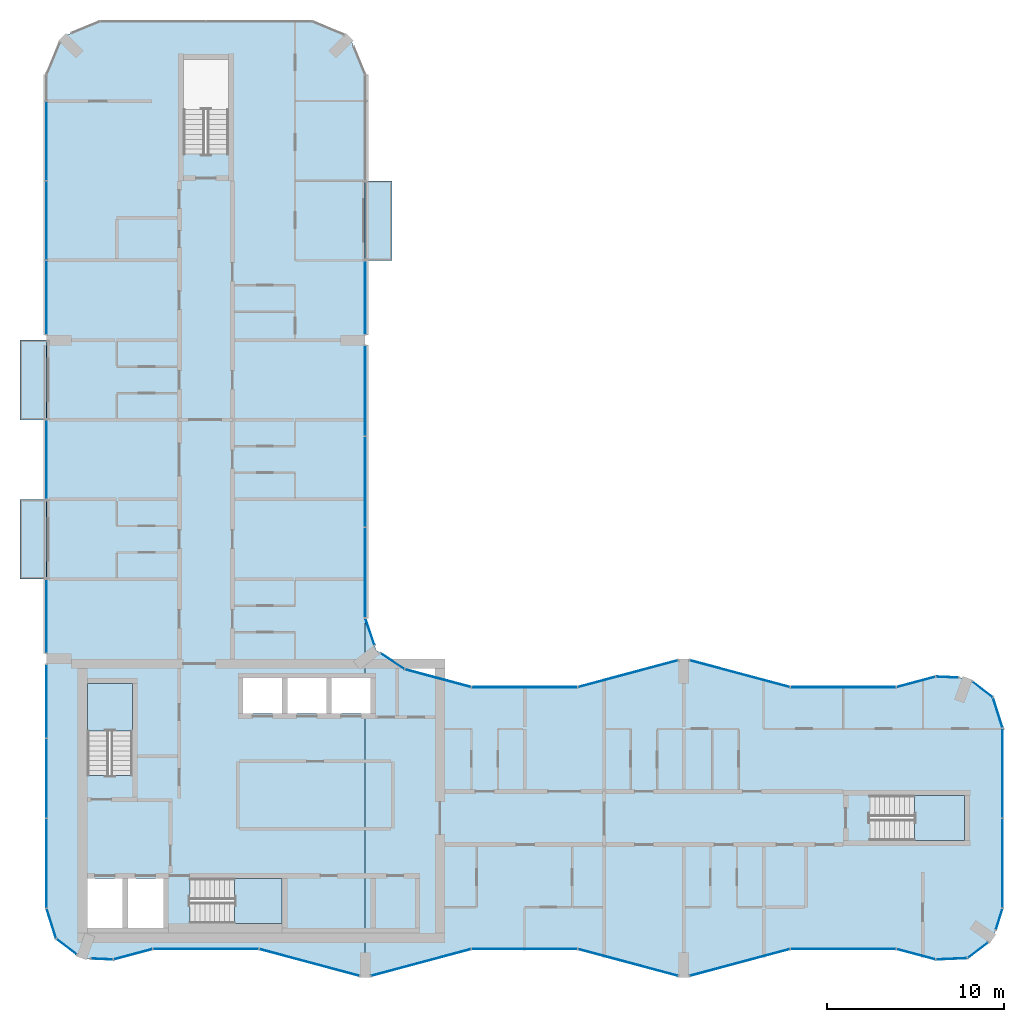
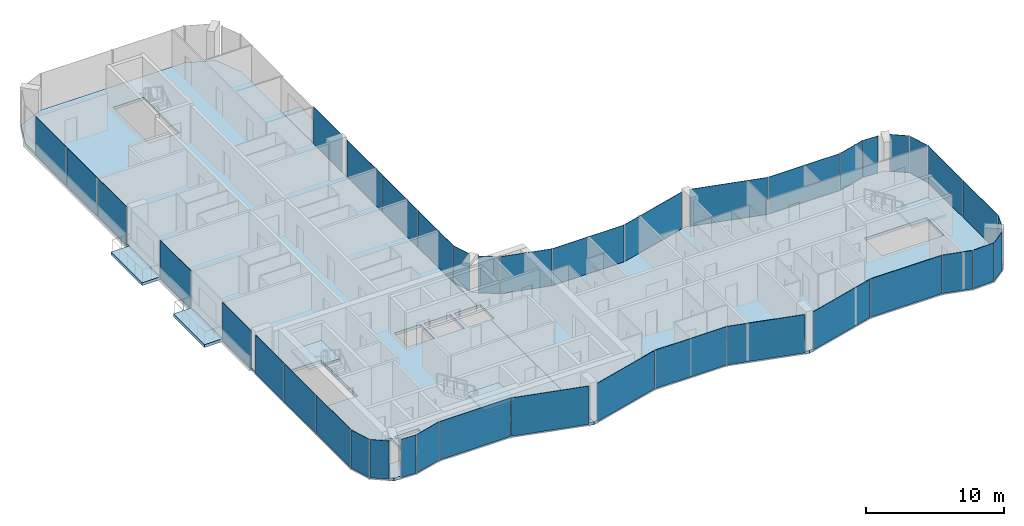
# One storey, part 8 of 16: 40 plates, 8 slabs, 36 elements without a shape of their own.
"""IFC4 building model written with IfcOpenShell, lengths in metres."""

from ifc_helpers import new_model, si_unit, direction, frame, origin, origin_2d, place, context, subcontext, project, spatial, polyline, rectangle, outline, extrude, material, layer, layer_set, type_object, element, aggregate, save


model = new_model("IFC4")

# Units and contexts
model_context = context("Model", 3, precision=1e-05, world=origin(), true_north=direction((0.0, 1.0)))
body_context = subcontext(model_context, "Body", "Model", "MODEL_VIEW")
ifc_project = project(units=[si_unit("LENGTHUNIT", "METRE"), si_unit("AREAUNIT", "SQUARE_METRE"), si_unit("VOLUMEUNIT", "CUBIC_METRE"), si_unit("PLANEANGLEUNIT", "RADIAN"), si_unit("MASSUNIT", "GRAM", prefix="KILO")], contexts=[model_context])

# Site, building, storey
site_placement = place(None, origin())
site = spatial("IfcSite", under=ifc_project, at=site_placement, CompositionType="ELEMENT")
building_placement = place(site_placement, origin())
building = spatial("IfcBuilding", under=site, at=building_placement, Name="Plateau Cross Towers", CompositionType="ELEMENT")
storey_placement = place(building_placement, frame((0.0, 0.0, 211.89990234375)))
storey = spatial("IfcBuildingStorey", under=building, at=storey_placement, Name="L55", CompositionType="ELEMENT", Elevation=211.89990234375)

# Slabs
ifc_material_1 = material(Name="Concrete C40/50", Category="concrete")
ifc_layer_1 = layer(ifc_material_1, 0.25)
ifc_layer_set_1 = layer_set([ifc_layer_1], Name="Concrete C40/50")
slab_type_1 = type_object("IfcSlabType", Name="Balcony slab 250", PredefinedType="FLOOR", material=ifc_layer_set_1)
slab_1_placement = place(storey_placement, frame((0.0, 0.0, -0.25)))
element("IfcSlab", 1, at=slab_1_placement, inside=storey, type_object=slab_type_1, Name="Balcony slab A-BAL-L55-01", PredefinedType="FLOOR", context=body_context, shape_type="SweptSolid", body=[
    extrude(outline(polyline([(0.0, 22.5), (0.0, 27.0), (-1.5, 27.0), (-1.5, 22.5), (0.0, 22.5)])), origin(), (0.0, 0.0, 1.0), 0.25),
])
slab_2_placement = place(storey_placement, frame((0.0, 0.0, -0.25)))
element("IfcSlab", 2, at=slab_2_placement, inside=storey, type_object=slab_type_1, Name="Balcony slab A-BAL-L55-02", PredefinedType="FLOOR", context=body_context, shape_type="SweptSolid", body=[
    extrude(outline(polyline([(0.0, 31.5), (0.0, 36.0), (-1.5, 36.0), (-1.5, 31.5), (0.0, 31.5)])), origin(), (0.0, 0.0, 1.0), 0.25),
])
slab_3_placement = place(storey_placement, frame((0.0, 0.0, -0.25)))
element("IfcSlab", 3, at=slab_3_placement, inside=storey, type_object=slab_type_1, Name="Balcony slab A-BAL-L55-03", PredefinedType="FLOOR", context=body_context, shape_type="SweptSolid", body=[
    extrude(outline(polyline([(19.5, 40.5), (19.5, 45.0), (18.0, 45.0), (18.0, 40.5), (19.5, 40.5)])), origin(), (0.0, 0.0, 1.0), 0.25),
])

# Curtain wall, plate
ifc_material_2 = material(Name="Dark low-iron glass", Category="glass")
ifc_layer_2 = layer(ifc_material_2, 0.239990234375)
ifc_layer_set_2 = layer_set([ifc_layer_2], Name="Dark low-iron glass")
curtain_wall_type_1 = type_object("IfcCurtainWallType", Name="Curtain wall flush unitised CW-B", PredefinedType="NOTDEFINED", material=ifc_layer_set_2)
curtain_wall_1_placement = place(storey_placement, origin())
curtain_wall_1 = element("IfcCurtainWall", 4, at=curtain_wall_1_placement, inside=storey, type_object=curtain_wall_type_1, Name="ENV/A/L55/A502_10", PredefinedType="NOTDEFINED")
ifc_layer_3 = layer(ifc_material_2, 0.031982421875)
ifc_layer_set_3 = layer_set([ifc_layer_3], Name="Dark low-iron glass")
plate_type_1 = type_object("IfcPlateType", Name="Glass panel 32 flush unitised", PredefinedType="CURTAIN_PANEL", material=ifc_layer_set_3)
plate_1_placement = place(storey_placement, frame((51.125, 1.05078125, -0.1298828125), z_axis=(0.0, 0.0, 1.0), x_axis=(0.999043701491, 0.043722791671, 0.0)))
plate_1 = element("IfcPlate", 5, at=plate_1_placement, type_object=plate_type_1, Name="CW-B panel 1", PredefinedType="CURTAIN_PANEL", context=body_context, shape_type="SweptSolid", body=[
    extrude(rectangle(XDim=1.744140625, YDim=0.031982421875, at=origin_2d()), origin(), (0.0, 0.0, 1.0), 3.3798828125),
])
aggregate(curtain_wall_1, [plate_1])

curtain_wall_2_placement = place(storey_placement, origin())
curtain_wall_2 = element("IfcCurtainWall", 6, at=curtain_wall_2_placement, inside=storey, type_object=curtain_wall_type_1, Name="ENV/A/L55/A520_11", PredefinedType="NOTDEFINED")
plate_2_placement = place(storey_placement, frame((52.60986328125, 1.5380859375, -0.1298828125), z_axis=(0.0, 0.0, 1.0), x_axis=(0.793315514529, 0.608810721331, 0.0)))
plate_2 = element("IfcPlate", 7, at=plate_2_placement, type_object=plate_type_1, Name="CW-B panel 1", PredefinedType="CURTAIN_PANEL", context=body_context, shape_type="SweptSolid", body=[
    extrude(rectangle(XDim=1.41162109375, YDim=0.031982421875, at=origin_2d()), origin(), (0.0, 0.0, 1.0), 3.3798828125),
])
aggregate(curtain_wall_2, [plate_2])

curtain_wall_3_placement = place(storey_placement, origin())
curtain_wall_3 = element("IfcCurtainWall", 8, at=curtain_wall_3_placement, inside=storey, type_object=curtain_wall_type_1, Name="ENV/A/L55/A536_27", PredefinedType="NOTDEFINED")
plate_3_placement = place(storey_placement, frame((53.805419921875, 3.292236328125, -0.1298828125), z_axis=(0.0, 0.0, 1.0), x_axis=(0.300686174994, 0.95372313811, 0.0)))
plate_3 = element("IfcPlate", 9, at=plate_3_placement, type_object=plate_type_1, Name="CW-B panel 1", PredefinedType="CURTAIN_PANEL", context=body_context, shape_type="SweptSolid", body=[
    extrude(rectangle(XDim=1.233642578125, YDim=0.031982421875, at=origin_2d()), origin(), (0.0, 0.0, 1.0), 3.3798828125),
])
aggregate(curtain_wall_3, [plate_3])

# Curtain wall, plates
curtain_wall_4_placement = place(storey_placement, origin())
curtain_wall_4 = element("IfcCurtainWall", 10, at=curtain_wall_4_placement, inside=storey, type_object=curtain_wall_type_1, Name="ENV/A/L55/A540_39", PredefinedType="NOTDEFINED")
plate_4_placement = place(storey_placement, frame((54.0, 6.45458984375, -0.1298828125), z_axis=(0.0, 0.0, 1.0), x_axis=(0.0, 1.0, 0.0)))
plate_4 = element("IfcPlate", 11, at=plate_4_placement, type_object=plate_type_1, Name="CW-B panel 1", PredefinedType="CURTAIN_PANEL", context=body_context, shape_type="SweptSolid", body=[
    extrude(rectangle(XDim=5.03076171875, YDim=0.031982421875, at=origin_2d()), origin(), (0.0, 0.0, 1.0), 3.3798828125),
])
plate_5_placement = place(storey_placement, frame((54.0, 11.54541015625, -0.1298828125), z_axis=(0.0, 0.0, 1.0), x_axis=(0.0, 1.0, 0.0)))
plate_5 = element("IfcPlate", 12, at=plate_5_placement, type_object=plate_type_1, Name="CW-B panel 2", PredefinedType="CURTAIN_PANEL", context=body_context, shape_type="SweptSolid", body=[
    extrude(rectangle(XDim=5.03076171875, YDim=0.031982421875, at=origin_2d()), origin(), (0.0, 0.0, 1.0), 3.3798828125),
])
aggregate(curtain_wall_4, [plate_4, plate_5])

# Curtain wall, plate
curtain_wall_5_placement = place(storey_placement, origin())
curtain_wall_5 = element("IfcCurtainWall", 13, at=curtain_wall_5_placement, inside=storey, type_object=curtain_wall_type_1, Name="ENV/A/L55/A540_141", PredefinedType="NOTDEFINED")
plate_6_placement = place(storey_placement, frame((53.728759765625, 14.951171875, -0.1298828125), z_axis=(0.0, 0.0, 1.0), x_axis=(-0.300686174994, 0.95372313811, 0.0)))
plate_6 = element("IfcPlate", 14, at=plate_6_placement, type_object=plate_type_1, Name="CW-B panel 1", PredefinedType="CURTAIN_PANEL", context=body_context, shape_type="SweptSolid", body=[
    extrude(rectangle(XDim=1.744140625, YDim=0.031982421875, at=origin_2d()), origin(), (0.0, 0.0, 1.0), 3.3798828125),
])
aggregate(curtain_wall_5, [plate_6])

curtain_wall_6_placement = place(storey_placement, origin())
curtain_wall_6 = element("IfcCurtainWall", 15, at=curtain_wall_6_placement, inside=storey, type_object=curtain_wall_type_1, Name="ENV/A/L55/A535_158", PredefinedType="NOTDEFINED")
plate_7_placement = place(storey_placement, frame((52.873779296875, 16.25927734375, -0.1298828125), z_axis=(0.0, 0.0, 1.0), x_axis=(-0.793315514529, 0.608810721331, 0.0)))
plate_7 = element("IfcPlate", 16, at=plate_7_placement, type_object=plate_type_1, Name="CW-B panel 1", PredefinedType="CURTAIN_PANEL", context=body_context, shape_type="SweptSolid", body=[
    extrude(rectangle(XDim=1.41162109375, YDim=0.031982421875, at=origin_2d()), origin(), (0.0, 0.0, 1.0), 3.3798828125),
])
aggregate(curtain_wall_6, [plate_7])

curtain_wall_7_placement = place(storey_placement, origin())
curtain_wall_7 = element("IfcCurtainWall", 17, at=curtain_wall_7_placement, inside=storey, type_object=curtain_wall_type_1, Name="ENV/A/L55/A515_169", PredefinedType="NOTDEFINED")
plate_8_placement = place(storey_placement, frame((50.8701171875, 16.96044921875, -0.1298828125), z_axis=(0.0, 0.0, 1.0), x_axis=(-0.999043701491, 0.043722791671, 0.0)))
plate_8 = element("IfcPlate", 18, at=plate_8_placement, type_object=plate_type_1, Name="CW-B panel 1", PredefinedType="CURTAIN_PANEL", context=body_context, shape_type="SweptSolid", body=[
    extrude(rectangle(XDim=1.233642578125, YDim=0.031982421875, at=origin_2d()), origin(), (0.0, 0.0, 1.0), 3.3798828125),
])
aggregate(curtain_wall_7, [plate_8])

curtain_wall_8_placement = place(storey_placement, origin())
curtain_wall_8 = element("IfcCurtainWall", 19, at=curtain_wall_8_placement, inside=storey, type_object=curtain_wall_type_1, Name="ENV/A/L55/A202_174", PredefinedType="NOTDEFINED")
plate_9_placement = place(storey_placement, frame((19.546630859375, 17.856689453125, -0.1298828125), z_axis=(0.0, 0.0, 1.0), x_axis=(-0.831521253329, 0.555492938984, 0.0)))
plate_9 = element("IfcPlate", 20, at=plate_9_placement, type_object=plate_type_1, Name="CW-B panel 1", PredefinedType="CURTAIN_PANEL", context=body_context, shape_type="SweptSolid", body=[
    extrude(rectangle(XDim=1.56884765625, YDim=0.031982421875, at=origin_2d()), origin(), (0.0, 0.0, 1.0), 3.3798828125),
])
aggregate(curtain_wall_8, [plate_9])

curtain_wall_9_placement = place(storey_placement, origin())
curtain_wall_9 = element("IfcCurtainWall", 21, at=curtain_wall_9_placement, inside=storey, type_object=curtain_wall_type_1, Name="ENV/A/L55/A185_188", PredefinedType="NOTDEFINED")
plate_10_placement = place(storey_placement, frame((18.26171875, 19.531005859375, -0.1298828125), z_axis=(0.0, 0.0, 1.0), x_axis=(-0.321469161574, 0.94692004845, 0.0)))
plate_10 = element("IfcPlate", 22, at=plate_10_placement, type_object=plate_type_1, Name="CW-B panel 1", PredefinedType="CURTAIN_PANEL", context=body_context, shape_type="SweptSolid", body=[
    extrude(rectangle(XDim=1.56884765625, YDim=0.031982421875, at=origin_2d()), origin(), (0.0, 0.0, 1.0), 3.3798828125),
])
aggregate(curtain_wall_9, [plate_10])

# Curtain wall, plates
curtain_wall_10_placement = place(storey_placement, origin())
curtain_wall_10 = element("IfcCurtainWall", 23, at=curtain_wall_10_placement, inside=storey, type_object=curtain_wall_type_1, Name="ENV/A/L55/A180_203", PredefinedType="NOTDEFINED")
plate_11_placement = place(storey_placement, frame((18.0, 22.86865234375, -0.1298828125), z_axis=(0.0, 0.0, 1.0), x_axis=(0.0, 1.0, 0.0)))
plate_11 = element("IfcPlate", 24, at=plate_11_placement, type_object=plate_type_1, Name="CW-B panel 1", PredefinedType="CURTAIN_PANEL", context=body_context, shape_type="SweptSolid", body=[
    extrude(rectangle(XDim=5.072509765625, YDim=0.031982421875, at=origin_2d()), origin(), (0.0, 0.0, 1.0), 3.3798828125),
])
plate_12_placement = place(storey_placement, frame((18.0, 28.001220703125, -0.1298828125), z_axis=(0.0, 0.0, 1.0), x_axis=(0.0, 1.0, 0.0)))
plate_12 = element("IfcPlate", 25, at=plate_12_placement, type_object=plate_type_1, Name="CW-B panel 2", PredefinedType="CURTAIN_PANEL", context=body_context, shape_type="SweptSolid", body=[
    extrude(rectangle(XDim=5.072509765625, YDim=0.031982421875, at=origin_2d()), origin(), (0.0, 0.0, 1.0), 3.3798828125),
])
plate_13_placement = place(storey_placement, frame((18.0, 33.1337890625, -0.1298828125), z_axis=(0.0, 0.0, 1.0), x_axis=(0.0, 1.0, 0.0)))
plate_13 = element("IfcPlate", 26, at=plate_13_placement, type_object=plate_type_1, Name="CW-B panel 3", PredefinedType="CURTAIN_PANEL", context=body_context, shape_type="SweptSolid", body=[
    extrude(rectangle(XDim=5.072509765625, YDim=0.031982421875, at=origin_2d()), origin(), (0.0, 0.0, 1.0), 3.3798828125),
])
aggregate(curtain_wall_10, [plate_11, plate_12, plate_13])

# Curtain wall, plate
curtain_wall_11_placement = place(storey_placement, origin())
curtain_wall_11 = element("IfcCurtainWall", 27, at=curtain_wall_11_placement, inside=storey, type_object=curtain_wall_type_1, Name="ENV/A/L55/A180_363", PredefinedType="NOTDEFINED")
plate_14_placement = place(storey_placement, frame((18.0, 38.39501953125, -0.1298828125), z_axis=(0.0, 0.0, 1.0), x_axis=(0.0, 1.0, 0.0)))
plate_14 = element("IfcPlate", 28, at=plate_14_placement, type_object=plate_type_1, Name="CW-B panel 1", PredefinedType="CURTAIN_PANEL", context=body_context, shape_type="SweptSolid", body=[
    extrude(rectangle(XDim=4.1298828125, YDim=0.031982421875, at=origin_2d()), origin(), (0.0, 0.0, 1.0), 3.3798828125),
])
aggregate(curtain_wall_11, [plate_14])

# Curtain wall, plates
curtain_wall_12_placement = place(storey_placement, origin())
curtain_wall_12 = element("IfcCurtainWall", 29, at=curtain_wall_12_placement, inside=storey, type_object=curtain_wall_type_1, Name="ENV/A/L55/A0_510", PredefinedType="NOTDEFINED")
plate_15_placement = place(storey_placement, frame((0.0, 47.25, -0.1298828125), z_axis=(0.0, 0.0, 1.0), x_axis=(0.0, -1.0, 0.0)))
plate_15 = element("IfcPlate", 30, at=plate_15_placement, type_object=plate_type_1, Name="CW-B panel 2", PredefinedType="CURTAIN_PANEL", context=body_context, shape_type="SweptSolid", body=[
    extrude(rectangle(XDim=4.43994140625, YDim=0.031982421875, at=origin_2d()), origin(), (0.0, 0.0, 1.0), 3.3798828125),
])
plate_16_placement = place(storey_placement, frame((0.0, 42.75, -0.1298828125), z_axis=(0.0, 0.0, 1.0), x_axis=(0.0, -1.0, 0.0)))
plate_16 = element("IfcPlate", 31, at=plate_16_placement, type_object=plate_type_1, Name="CW-B panel 3", PredefinedType="CURTAIN_PANEL", context=body_context, shape_type="SweptSolid", body=[
    extrude(rectangle(XDim=4.43994140625, YDim=0.031982421875, at=origin_2d()), origin(), (0.0, 0.0, 1.0), 3.3798828125),
])
plate_17_placement = place(storey_placement, frame((0.0, 38.39990234375, -0.1298828125), z_axis=(0.0, 0.0, 1.0), x_axis=(0.0, -1.0, 0.0)))
plate_17 = element("IfcPlate", 32, at=plate_17_placement, type_object=plate_type_1, Name="CW-B panel 4", PredefinedType="CURTAIN_PANEL", context=body_context, shape_type="SweptSolid", body=[
    extrude(rectangle(XDim=4.139892578125, YDim=0.031982421875, at=origin_2d()), origin(), (0.0, 0.0, 1.0), 3.3798828125),
])
aggregate(curtain_wall_12, [plate_15, plate_16, plate_17])

# Curtain wall, plate
curtain_wall_13_placement = place(storey_placement, origin())
curtain_wall_13 = element("IfcCurtainWall", 33, at=curtain_wall_13_placement, inside=storey, type_object=curtain_wall_type_1, Name="ENV/A/L55/A0_315", PredefinedType="NOTDEFINED")
plate_18_placement = place(storey_placement, frame((0.0, 29.25, -0.1298828125), z_axis=(0.0, 0.0, 1.0), x_axis=(0.0, -1.0, 0.0)))
plate_18 = element("IfcPlate", 34, at=plate_18_placement, type_object=plate_type_1, Name="CW-B panel 1", PredefinedType="CURTAIN_PANEL", context=body_context, shape_type="SweptSolid", body=[
    extrude(rectangle(XDim=4.419921875, YDim=0.031982421875, at=origin_2d()), origin(), (0.0, 0.0, 1.0), 3.3798828125),
])
aggregate(curtain_wall_13, [plate_18])

curtain_wall_14_placement = place(storey_placement, origin())
curtain_wall_14 = element("IfcCurtainWall", 35, at=curtain_wall_14_placement, inside=storey, type_object=curtain_wall_type_1, Name="ENV/A/L55/A0_225", PredefinedType="NOTDEFINED")
plate_19_placement = place(storey_placement, frame((0.0, 20.39501953125, -0.1298828125), z_axis=(0.0, 0.0, 1.0), x_axis=(0.0, -1.0, 0.0)))
plate_19 = element("IfcPlate", 36, at=plate_19_placement, type_object=plate_type_1, Name="CW-B panel 1", PredefinedType="CURTAIN_PANEL", context=body_context, shape_type="SweptSolid", body=[
    extrude(rectangle(XDim=4.1298828125, YDim=0.031982421875, at=origin_2d()), origin(), (0.0, 0.0, 1.0), 3.3798828125),
])
aggregate(curtain_wall_14, [plate_19])

# Curtain wall, plates
curtain_wall_15_placement = place(storey_placement, origin())
curtain_wall_15 = element("IfcCurtainWall", 37, at=curtain_wall_15_placement, inside=storey, type_object=curtain_wall_type_1, Name="ENV/A/L55/A0_177", PredefinedType="NOTDEFINED")
plate_20_placement = place(storey_placement, frame((0.0, 15.60009765625, -0.1298828125), z_axis=(0.0, 0.0, 1.0), x_axis=(0.0, -1.0, 0.0)))
plate_20 = element("IfcPlate", 38, at=plate_20_placement, type_object=plate_type_1, Name="CW-B panel 1", PredefinedType="CURTAIN_PANEL", context=body_context, shape_type="SweptSolid", body=[
    extrude(rectangle(XDim=4.139892578125, YDim=0.031982421875, at=origin_2d()), origin(), (0.0, 0.0, 1.0), 3.3798828125),
])
plate_21_placement = place(storey_placement, frame((0.0, 11.25, -0.1298828125), z_axis=(0.0, 0.0, 1.0), x_axis=(0.0, -1.0, 0.0)))
plate_21 = element("IfcPlate", 39, at=plate_21_placement, type_object=plate_type_1, Name="CW-B panel 2", PredefinedType="CURTAIN_PANEL", context=body_context, shape_type="SweptSolid", body=[
    extrude(rectangle(XDim=4.43994140625, YDim=0.031982421875, at=origin_2d()), origin(), (0.0, 0.0, 1.0), 3.3798828125),
])
plate_22_placement = place(storey_placement, frame((0.0, 6.45458984375, -0.1298828125), z_axis=(0.0, 0.0, 1.0), x_axis=(0.0, -1.0, 0.0)))
plate_22 = element("IfcPlate", 40, at=plate_22_placement, type_object=plate_type_1, Name="CW-B panel 3", PredefinedType="CURTAIN_PANEL", context=body_context, shape_type="SweptSolid", body=[
    extrude(rectangle(XDim=5.03076171875, YDim=0.031982421875, at=origin_2d()), origin(), (0.0, 0.0, 1.0), 3.3798828125),
])
aggregate(curtain_wall_15, [plate_20, plate_21, plate_22])

# Curtain wall, plate
curtain_wall_16_placement = place(storey_placement, origin())
curtain_wall_16 = element("IfcCurtainWall", 41, at=curtain_wall_16_placement, inside=storey, type_object=curtain_wall_type_1, Name="ENV/A/L55/A0_39", PredefinedType="NOTDEFINED")
plate_23_placement = place(storey_placement, frame((0.271240234375, 3.048828125, -0.1298828125), z_axis=(0.0, 0.0, 1.0), x_axis=(0.300686174994, -0.95372313811, 0.0)))
plate_23 = element("IfcPlate", 42, at=plate_23_placement, type_object=plate_type_1, Name="CW-B panel 1", PredefinedType="CURTAIN_PANEL", context=body_context, shape_type="SweptSolid", body=[
    extrude(rectangle(XDim=1.744140625, YDim=0.031982421875, at=origin_2d()), origin(), (0.0, 0.0, 1.0), 3.3798828125),
])
aggregate(curtain_wall_16, [plate_23])

curtain_wall_17_placement = place(storey_placement, origin())
curtain_wall_17 = element("IfcCurtainWall", 43, at=curtain_wall_17_placement, inside=storey, type_object=curtain_wall_type_1, Name="ENV/A/L55/A5_22", PredefinedType="NOTDEFINED")
plate_24_placement = place(storey_placement, frame((1.126220703125, 1.74072265625, -0.1298828125), z_axis=(0.0, 0.0, 1.0), x_axis=(0.793315514529, -0.608810721331, 0.0)))
plate_24 = element("IfcPlate", 44, at=plate_24_placement, type_object=plate_type_1, Name="CW-B panel 1", PredefinedType="CURTAIN_PANEL", context=body_context, shape_type="SweptSolid", body=[
    extrude(rectangle(XDim=1.41162109375, YDim=0.031982421875, at=origin_2d()), origin(), (0.0, 0.0, 1.0), 3.3798828125),
])
aggregate(curtain_wall_17, [plate_24])

curtain_wall_18_placement = place(storey_placement, origin())
curtain_wall_18 = element("IfcCurtainWall", 45, at=curtain_wall_18_placement, inside=storey, type_object=curtain_wall_type_1, Name="ENV/A/L55/A25_11", PredefinedType="NOTDEFINED")
plate_25_placement = place(storey_placement, frame((3.1298828125, 1.03955078125, -0.1298828125), z_axis=(0.0, 0.0, 1.0), x_axis=(0.999043701491, -0.043722791671, 0.0)))
plate_25 = element("IfcPlate", 46, at=plate_25_placement, type_object=plate_type_1, Name="CW-B panel 1", PredefinedType="CURTAIN_PANEL", context=body_context, shape_type="SweptSolid", body=[
    extrude(rectangle(XDim=1.233642578125, YDim=0.031982421875, at=origin_2d()), origin(), (0.0, 0.0, 1.0), 3.3798828125),
])
aggregate(curtain_wall_18, [plate_25])

ifc_layer_4 = layer(ifc_material_2, 0.260009765625)
ifc_layer_set_4 = layer_set([ifc_layer_4], Name="Dark low-iron glass")
curtain_wall_type_2 = type_object("IfcCurtainWallType", Name="Curtain wall fluted unitised CW-A", PredefinedType="NOTDEFINED", material=ifc_layer_set_4)
curtain_wall_19_placement = place(storey_placement, origin())
curtain_wall_19 = element("IfcCurtainWall", 47, at=curtain_wall_19_placement, inside=storey, type_object=curtain_wall_type_2, Name="ENV/A/L55/A38_10", PredefinedType="NOTDEFINED")
ifc_layer_5 = layer(ifc_material_2, 0.035888671875)
ifc_layer_set_5 = layer_set([ifc_layer_5], Name="Dark low-iron glass")
plate_type_2 = type_object("IfcPlateType", Name="Glass panel 36 fluted unitised", PredefinedType="CURTAIN_PANEL", material=ifc_layer_set_5)
plate_26_placement = place(storey_placement, frame((4.887939453125, 1.30908203125, -0.1298828125), z_axis=(0.0, 0.0, 1.0), x_axis=(0.965957962328, 0.258699081978, 0.0)))
plate_26 = element("IfcPlate", 48, at=plate_26_placement, type_object=plate_type_2, Name="CW-A panel 1", PredefinedType="CURTAIN_PANEL", context=body_context, shape_type="SweptSolid", body=[
    extrude(rectangle(XDim=2.2421875, YDim=0.035888671875, at=origin_2d()), origin(), (0.0, 0.0, 1.0), 3.3798828125),
])
aggregate(curtain_wall_19, [plate_26])

curtain_wall_20_placement = place(storey_placement, origin())
curtain_wall_20 = element("IfcCurtainWall", 49, at=curtain_wall_20_placement, inside=storey, type_object=curtain_wall_type_2, Name="ENV/A/L55/A60_16", PredefinedType="NOTDEFINED")
plate_27_placement = place(storey_placement, frame((9.0, 1.60693359375, -0.1298828125), z_axis=(0.0, 0.0, 1.0), x_axis=(1.0, 0.0, 0.0)))
plate_27 = element("IfcPlate", 50, at=plate_27_placement, type_object=plate_type_2, Name="CW-A panel 1", PredefinedType="CURTAIN_PANEL", context=body_context, shape_type="SweptSolid", body=[
    extrude(rectangle(XDim=5.93994140625, YDim=0.035888671875, at=origin_2d()), origin(), (0.0, 0.0, 1.0), 3.3798828125),
])
aggregate(curtain_wall_20, [plate_27])

curtain_wall_21_placement = place(storey_placement, origin())
curtain_wall_21 = element("IfcCurtainWall", 51, at=curtain_wall_21_placement, inside=storey, type_object=curtain_wall_type_2, Name="ENV/A/L55/A120_16", PredefinedType="NOTDEFINED")
plate_28_placement = place(storey_placement, frame((14.841064453125, 0.845947265625, -0.1298828125), z_axis=(0.0, 0.0, 1.0), x_axis=(0.965957983404, -0.258699003279, 0.0)))
plate_28 = element("IfcPlate", 52, at=plate_28_placement, type_object=plate_type_2, Name="CW-A panel 1", PredefinedType="CURTAIN_PANEL", context=body_context, shape_type="SweptSolid", body=[
    extrude(rectangle(XDim=5.822265625, YDim=0.035888671875, at=origin_2d()), origin(), (0.0, 0.0, 1.0), 3.3798828125),
])
aggregate(curtain_wall_21, [plate_28])

curtain_wall_22_placement = place(storey_placement, origin())
curtain_wall_22 = element("IfcCurtainWall", 53, at=curtain_wall_22_placement, inside=storey, type_object=curtain_wall_type_2, Name="ENV/A/L55/A183_1", PredefinedType="NOTDEFINED")
plate_29_placement = place(storey_placement, frame((21.158935546875, 0.845947265625, -0.1298828125), z_axis=(0.0, 0.0, 1.0), x_axis=(0.965957983404, 0.258699003279, 0.0)))
plate_29 = element("IfcPlate", 54, at=plate_29_placement, type_object=plate_type_2, Name="CW-A panel 1", PredefinedType="CURTAIN_PANEL", context=body_context, shape_type="SweptSolid", body=[
    extrude(rectangle(XDim=5.822265625, YDim=0.035888671875, at=origin_2d()), origin(), (0.0, 0.0, 1.0), 3.3798828125),
])
aggregate(curtain_wall_22, [plate_29])

curtain_wall_23_placement = place(storey_placement, origin())
curtain_wall_23 = element("IfcCurtainWall", 55, at=curtain_wall_23_placement, inside=storey, type_object=curtain_wall_type_2, Name="ENV/A/L55/A240_16", PredefinedType="NOTDEFINED")
plate_30_placement = place(storey_placement, frame((27.0, 1.60693359375, -0.1298828125), z_axis=(0.0, 0.0, 1.0), x_axis=(1.0, 0.0, 0.0)))
plate_30 = element("IfcPlate", 56, at=plate_30_placement, type_object=plate_type_2, Name="CW-A panel 1", PredefinedType="CURTAIN_PANEL", context=body_context, shape_type="SweptSolid", body=[
    extrude(rectangle(XDim=5.93994140625, YDim=0.035888671875, at=origin_2d()), origin(), (0.0, 0.0, 1.0), 3.3798828125),
])
aggregate(curtain_wall_23, [plate_30])

curtain_wall_24_placement = place(storey_placement, origin())
curtain_wall_24 = element("IfcCurtainWall", 57, at=curtain_wall_24_placement, inside=storey, type_object=curtain_wall_type_2, Name="ENV/A/L55/A300_16", PredefinedType="NOTDEFINED")
plate_31_placement = place(storey_placement, frame((32.841064453125, 0.845947265625, -0.1298828125), z_axis=(0.0, 0.0, 1.0), x_axis=(0.965957983404, -0.258699003279, 0.0)))
plate_31 = element("IfcPlate", 58, at=plate_31_placement, type_object=plate_type_2, Name="CW-A panel 1", PredefinedType="CURTAIN_PANEL", context=body_context, shape_type="SweptSolid", body=[
    extrude(rectangle(XDim=5.822265625, YDim=0.035888671875, at=origin_2d()), origin(), (0.0, 0.0, 1.0), 3.3798828125),
])
aggregate(curtain_wall_24, [plate_31])

curtain_wall_25_placement = place(storey_placement, origin())
curtain_wall_25 = element("IfcCurtainWall", 59, at=curtain_wall_25_placement, inside=storey, type_object=curtain_wall_type_2, Name="ENV/A/L55/A363_1", PredefinedType="NOTDEFINED")
plate_32_placement = place(storey_placement, frame((39.158935546875, 0.845947265625, -0.1298828125), z_axis=(0.0, 0.0, 1.0), x_axis=(0.965957983404, 0.258699003279, 0.0)))
plate_32 = element("IfcPlate", 60, at=plate_32_placement, type_object=plate_type_2, Name="CW-A panel 1", PredefinedType="CURTAIN_PANEL", context=body_context, shape_type="SweptSolid", body=[
    extrude(rectangle(XDim=5.822265625, YDim=0.035888671875, at=origin_2d()), origin(), (0.0, 0.0, 1.0), 3.3798828125),
])
aggregate(curtain_wall_25, [plate_32])

curtain_wall_26_placement = place(storey_placement, origin())
curtain_wall_26 = element("IfcCurtainWall", 61, at=curtain_wall_26_placement, inside=storey, type_object=curtain_wall_type_2, Name="ENV/A/L55/A420_16", PredefinedType="NOTDEFINED")
plate_33_placement = place(storey_placement, frame((45.0, 1.60693359375, -0.1298828125), z_axis=(0.0, 0.0, 1.0), x_axis=(1.0, 0.0, 0.0)))
plate_33 = element("IfcPlate", 62, at=plate_33_placement, type_object=plate_type_2, Name="CW-A panel 1", PredefinedType="CURTAIN_PANEL", context=body_context, shape_type="SweptSolid", body=[
    extrude(rectangle(XDim=5.93994140625, YDim=0.035888671875, at=origin_2d()), origin(), (0.0, 0.0, 1.0), 3.3798828125),
])
aggregate(curtain_wall_26, [plate_33])

curtain_wall_27_placement = place(storey_placement, origin())
curtain_wall_27 = element("IfcCurtainWall", 63, at=curtain_wall_27_placement, inside=storey, type_object=curtain_wall_type_2, Name="ENV/A/L55/A480_16", PredefinedType="NOTDEFINED")
plate_34_placement = place(storey_placement, frame((49.112060546875, 1.30908203125, -0.1298828125), z_axis=(0.0, 0.0, 1.0), x_axis=(0.965957962328, -0.258699081978, 0.0)))
plate_34 = element("IfcPlate", 64, at=plate_34_placement, type_object=plate_type_2, Name="CW-A panel 1", PredefinedType="CURTAIN_PANEL", context=body_context, shape_type="SweptSolid", body=[
    extrude(rectangle(XDim=2.2421875, YDim=0.035888671875, at=origin_2d()), origin(), (0.0, 0.0, 1.0), 3.3798828125),
])
aggregate(curtain_wall_27, [plate_34])

curtain_wall_28_placement = place(storey_placement, origin())
curtain_wall_28 = element("IfcCurtainWall", 65, at=curtain_wall_28_placement, inside=storey, type_object=curtain_wall_type_2, Name="ENV/A/L55/A502_170", PredefinedType="NOTDEFINED")
plate_35_placement = place(storey_placement, frame((49.112060546875, 16.69091796875, -0.1298828125), z_axis=(0.0, 0.0, 1.0), x_axis=(-0.965957962328, -0.258699081978, 0.0)))
plate_35 = element("IfcPlate", 66, at=plate_35_placement, type_object=plate_type_2, Name="CW-A panel 1", PredefinedType="CURTAIN_PANEL", context=body_context, shape_type="SweptSolid", body=[
    extrude(rectangle(XDim=2.2421875, YDim=0.035888671875, at=origin_2d()), origin(), (0.0, 0.0, 1.0), 3.3798828125),
])
aggregate(curtain_wall_28, [plate_35])

curtain_wall_29_placement = place(storey_placement, origin())
curtain_wall_29 = element("IfcCurtainWall", 67, at=curtain_wall_29_placement, inside=storey, type_object=curtain_wall_type_2, Name="ENV/A/L55/A480_164", PredefinedType="NOTDEFINED")
plate_36_placement = place(storey_placement, frame((45.0, 16.39306640625, -0.1298828125), z_axis=(0.0, 0.0, 1.0), x_axis=(-1.0, 0.0, 0.0)))
plate_36 = element("IfcPlate", 68, at=plate_36_placement, type_object=plate_type_2, Name="CW-A panel 1", PredefinedType="CURTAIN_PANEL", context=body_context, shape_type="SweptSolid", body=[
    extrude(rectangle(XDim=5.93994140625, YDim=0.035888671875, at=origin_2d()), origin(), (0.0, 0.0, 1.0), 3.3798828125),
])
aggregate(curtain_wall_29, [plate_36])

curtain_wall_30_placement = place(storey_placement, origin())
curtain_wall_30 = element("IfcCurtainWall", 69, at=curtain_wall_30_placement, inside=storey, type_object=curtain_wall_type_2, Name="ENV/A/L55/A420_164", PredefinedType="NOTDEFINED")
plate_37_placement = place(storey_placement, frame((39.158935546875, 17.154052734375, -0.1298828125), z_axis=(0.0, 0.0, 1.0), x_axis=(-0.965957983404, 0.258699003279, 0.0)))
plate_37 = element("IfcPlate", 70, at=plate_37_placement, type_object=plate_type_2, Name="CW-A panel 1", PredefinedType="CURTAIN_PANEL", context=body_context, shape_type="SweptSolid", body=[
    extrude(rectangle(XDim=5.822265625, YDim=0.035888671875, at=origin_2d()), origin(), (0.0, 0.0, 1.0), 3.3798828125),
])
aggregate(curtain_wall_30, [plate_37])

curtain_wall_31_placement = place(storey_placement, origin())
curtain_wall_31 = element("IfcCurtainWall", 71, at=curtain_wall_31_placement, inside=storey, type_object=curtain_wall_type_2, Name="ENV/A/L55/A357_179", PredefinedType="NOTDEFINED")
plate_38_placement = place(storey_placement, frame((32.841064453125, 17.154052734375, -0.1298828125), z_axis=(0.0, 0.0, 1.0), x_axis=(-0.965957983404, -0.258699003279, 0.0)))
plate_38 = element("IfcPlate", 72, at=plate_38_placement, type_object=plate_type_2, Name="CW-A panel 1", PredefinedType="CURTAIN_PANEL", context=body_context, shape_type="SweptSolid", body=[
    extrude(rectangle(XDim=5.822265625, YDim=0.035888671875, at=origin_2d()), origin(), (0.0, 0.0, 1.0), 3.3798828125),
])
aggregate(curtain_wall_31, [plate_38])

curtain_wall_32_placement = place(storey_placement, origin())
curtain_wall_32 = element("IfcCurtainWall", 73, at=curtain_wall_32_placement, inside=storey, type_object=curtain_wall_type_2, Name="ENV/A/L55/A300_164", PredefinedType="NOTDEFINED")
plate_39_placement = place(storey_placement, frame((27.0, 16.39306640625, -0.1298828125), z_axis=(0.0, 0.0, 1.0), x_axis=(-1.0, 0.0, 0.0)))
plate_39 = element("IfcPlate", 74, at=plate_39_placement, type_object=plate_type_2, Name="CW-A panel 1", PredefinedType="CURTAIN_PANEL", context=body_context, shape_type="SweptSolid", body=[
    extrude(rectangle(XDim=5.93994140625, YDim=0.035888671875, at=origin_2d()), origin(), (0.0, 0.0, 1.0), 3.3798828125),
])
aggregate(curtain_wall_32, [plate_39])

curtain_wall_33_placement = place(storey_placement, origin())
curtain_wall_33 = element("IfcCurtainWall", 75, at=curtain_wall_33_placement, inside=storey, type_object=curtain_wall_type_2, Name="ENV/A/L55/A240_164", PredefinedType="NOTDEFINED")
plate_40_placement = place(storey_placement, frame((22.112060546875, 16.898681640625, -0.1298828125), z_axis=(0.0, 0.0, 1.0), x_axis=(-0.965957995816, 0.258698956933, 0.0)))
plate_40 = element("IfcPlate", 76, at=plate_40_placement, type_object=plate_type_2, Name="CW-A panel 1", PredefinedType="CURTAIN_PANEL", context=body_context, shape_type="SweptSolid", body=[
    extrude(rectangle(XDim=3.84912109375, YDim=0.035888671875, at=origin_2d()), origin(), (0.0, 0.0, 1.0), 3.3798828125),
])
aggregate(curtain_wall_33, [plate_40])

# Slabs
ifc_layer_6 = layer(ifc_material_1, 0.25)
ifc_layer_set_6 = layer_set([ifc_layer_6], Name="Concrete C40/50")
slab_type_2 = type_object("IfcSlabType", Name="Post-tensioned flat plate slab 250", PredefinedType="FLOOR", material=ifc_layer_set_6)
slab_4_placement = place(storey_placement, frame((0.0, 0.0, -0.25)))
element("IfcSlab", 77, at=slab_4_placement, inside=storey, type_object=slab_type_2, Name="SL-A-L55 1", PredefinedType="FLOOR", context=body_context, shape_type="SweptSolid", body=[
    extrude(outline(polyline([(0.54248046875, 2.1884765625), (0.0, 3.9091796875), (0.0, 51.0), (0.878662109375, 53.121337890625), (3.0, 54.0), (15.0, 54.0), (17.121337890625, 53.121337890625), (18.0, 51.0), (18.0, 20.30224609375), (18.0, 16.89990234375), (16.10009765625, 16.89990234375), (16.10009765625, 14.89990234375), (18.0, 14.89990234375), (18.0, 0.0), (12.0, 1.60693359375), (6.0, 1.60693359375), (3.776123046875, 1.01123046875), (1.9736328125, 1.090087890625), (0.54248046875, 2.1884765625)]), holes=[polyline([(2.300048828125, 5.60009765625), (2.300048828125, 2.800048828125), (4.300048828125, 2.800048828125), (4.300048828125, 5.60009765625), (2.300048828125, 5.60009765625)]), polyline([(4.60009765625, 5.60009765625), (4.60009765625, 2.800048828125), (6.60009765625, 2.800048828125), (6.60009765625, 5.60009765625), (4.60009765625, 5.60009765625)]), polyline([(8.10009765625, 5.60009765625), (8.10009765625, 3.050048828125), (13.300048828125, 3.050048828125), (13.300048828125, 5.60009765625), (8.10009765625, 5.60009765625)]), polyline([(2.300048828125, 11.39990234375), (4.85009765625, 11.39990234375), (4.85009765625, 16.60009765625), (2.300048828125, 16.60009765625), (2.300048828125, 11.39990234375)]), polyline([(11.10009765625, 16.89990234375), (11.10009765625, 14.89990234375), (13.300048828125, 14.89990234375), (13.300048828125, 16.89990234375), (11.10009765625, 16.89990234375)]), polyline([(13.60009765625, 16.89990234375), (13.60009765625, 14.89990234375), (15.800048828125, 14.89990234375), (15.800048828125, 16.89990234375), (13.60009765625, 16.89990234375)]), polyline([(7.72509765625, 51.699951171875), (7.72509765625, 46.5), (10.27490234375, 46.5), (10.27490234375, 51.699951171875), (7.72509765625, 51.699951171875)])]), origin(), (0.0, 0.0, 1.0), 0.25),
])
slab_5_placement = place(storey_placement, frame((0.0, 0.0, -0.25)))
element("IfcSlab", 78, at=slab_5_placement, inside=storey, type_object=slab_type_2, Name="SL-A-L55 2", PredefinedType="FLOOR", context=body_context, shape_type="SweptSolid", body=[
    extrude(outline(polyline([(18.6201171875, 18.475830078125), (20.223876953125, 17.404296875), (24.0, 16.39306640625), (30.0, 16.39306640625), (36.0, 18.0), (42.0, 16.39306640625), (48.0, 16.39306640625), (50.223876953125, 16.98876953125), (52.0263671875, 16.909912109375), (53.45751953125, 15.8115234375), (54.0, 14.0908203125), (54.0, 3.9091796875), (53.45751953125, 2.1884765625), (52.0263671875, 1.090087890625), (50.223876953125, 1.01123046875), (48.0, 1.60693359375), (42.0, 1.60693359375), (36.0, 0.0), (30.0, 1.60693359375), (24.0, 1.60693359375), (18.0, 0.0), (18.0, 14.89990234375), (18.300048828125, 14.89990234375), (18.300048828125, 16.89990234375), (18.0, 16.89990234375), (18.0, 20.30224609375), (18.6201171875, 18.475830078125)]), holes=[polyline([(46.5, 10.27490234375), (46.5, 7.72509765625), (51.699951171875, 7.72509765625), (51.699951171875, 10.27490234375), (46.5, 10.27490234375)])]), origin(), (0.0, 0.0, 1.0), 0.25),
])

# Stair, slab
stair_type = type_object("IfcStairType", Name="ST-TWR", PredefinedType="HALF_TURN_STAIR", material=ifc_material_1)
stair_1_placement = place(storey_placement, origin())
stair_1 = element("IfcStair", 79, at=stair_1_placement, inside=storey, type_object=stair_type, Name="L55 Protected Exit Stair ST-1", PredefinedType="HALF_TURN_STAIR")
ifc_layer_7 = layer(ifc_material_1, 0.199951171875)
ifc_layer_set_7 = layer_set([ifc_layer_7], Name="Concrete C40/50")
slab_type_3 = type_object("IfcSlabType", Name="SL-LANDING", PredefinedType="LANDING", material=ifc_layer_set_7)
slab_6_placement = place(storey_placement, frame((0.0, 0.0, 1.550048828125)))
slab_6 = element("IfcSlab", 80, at=slab_6_placement, type_object=slab_type_3, Name="ST-1 landing 1", PredefinedType="LANDING", context=body_context, shape_type="SweptSolid", body=[
    extrude(outline(polyline([(4.85009765625, 13.919921875), (4.85009765625, 16.60009765625), (2.300048828125, 16.60009765625), (2.300048828125, 13.919921875), (4.85009765625, 13.919921875)])), origin(), (0.0, 0.0, 1.0), 0.199951171875),
])
aggregate(stair_1, [slab_6])

stair_2_placement = place(storey_placement, origin())
stair_2 = element("IfcStair", 81, at=stair_2_placement, inside=storey, type_object=stair_type, Name="L55 Protected Exit Stair ST-2", PredefinedType="HALF_TURN_STAIR")
slab_7_placement = place(storey_placement, frame((0.0, 0.0, 1.550048828125)))
slab_7 = element("IfcSlab", 82, at=slab_7_placement, type_object=slab_type_3, Name="ST-2 landing 1", PredefinedType="LANDING", context=body_context, shape_type="SweptSolid", body=[
    extrude(outline(polyline([(10.6201171875, 3.050048828125), (13.300048828125, 3.050048828125), (13.300048828125, 5.60009765625), (10.6201171875, 5.60009765625), (10.6201171875, 3.050048828125)])), origin(), (0.0, 0.0, 1.0), 0.199951171875),
])
aggregate(stair_2, [slab_7])

stair_3_placement = place(storey_placement, origin())
stair_3 = element("IfcStair", 83, at=stair_3_placement, inside=storey, type_object=stair_type, Name="L55 Protected Exit Stair E", PredefinedType="HALF_TURN_STAIR")
slab_8_placement = place(storey_placement, frame((0.0, 0.0, 1.550048828125)))
slab_8 = element("IfcSlab", 84, at=slab_8_placement, type_object=slab_type_3, Name="ES-E landing 1", PredefinedType="LANDING", context=body_context, shape_type="SweptSolid", body=[
    extrude(outline(polyline([(49.02001953125, 7.72509765625), (51.85009765625, 7.72509765625), (51.85009765625, 10.27490234375), (49.02001953125, 10.27490234375), (49.02001953125, 7.72509765625)])), origin(), (0.0, 0.0, 1.0), 0.199951171875),
])
aggregate(stair_3, [slab_8])

save(model, "model.ifc")
